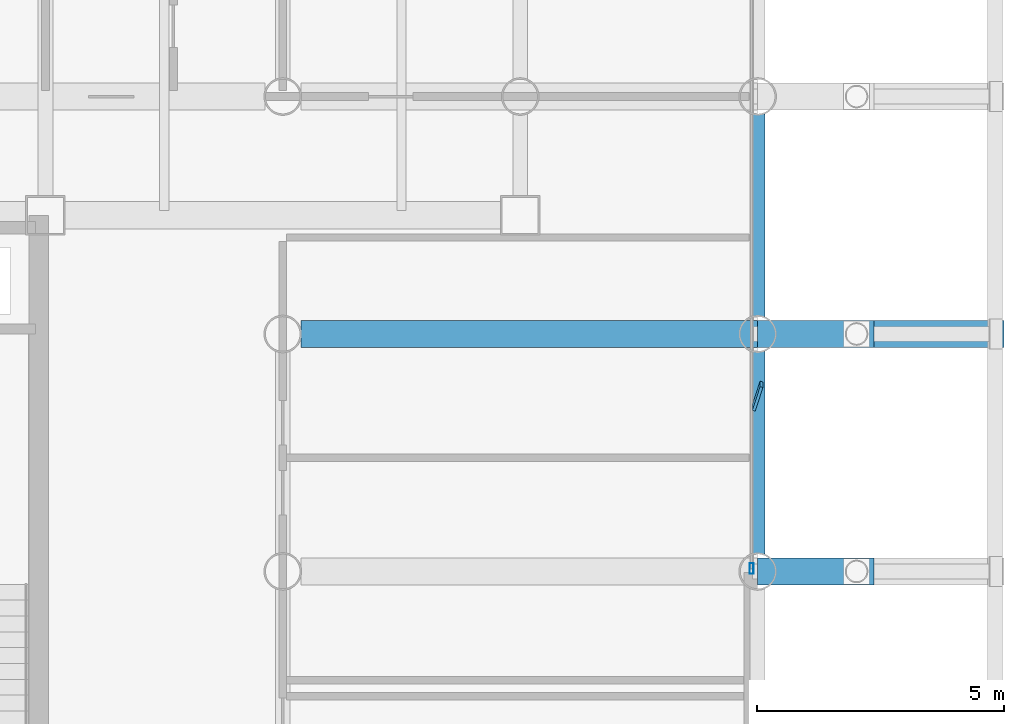
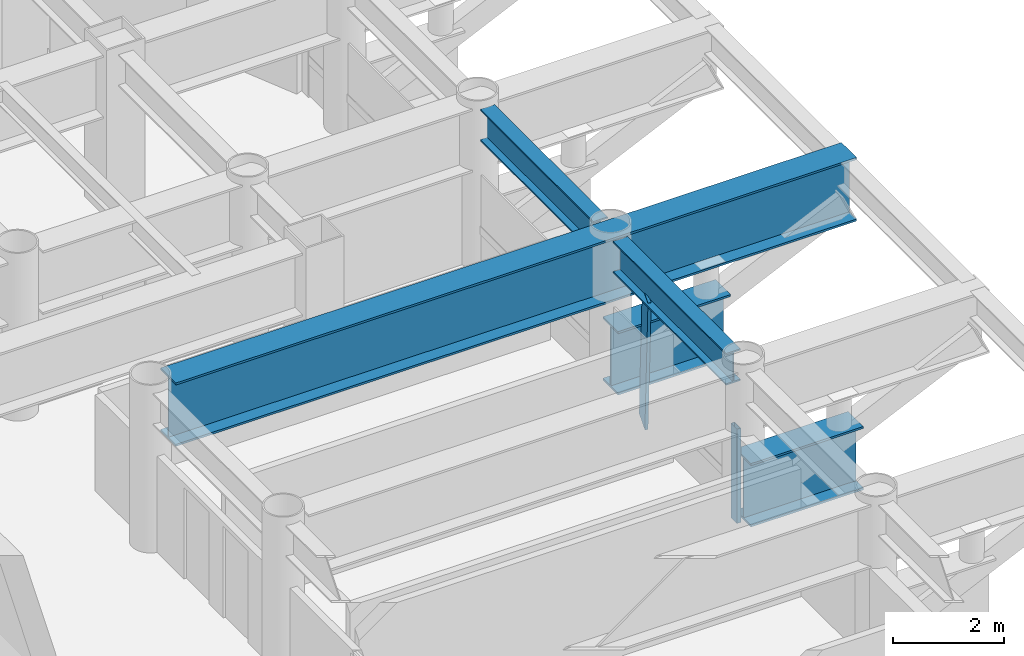
# One storey, part 10 of 26: 5 beams, 2 members, 1 element without a shape of its own.
"""IFC4 building model written with IfcOpenShell, lengths in metres."""

from ifc_helpers import new_model, si_unit, direction, frame, origin, origin_2d, place, context, subcontext, project, spatial, rectangle, hollow_rectangle, i_section, extrude, material, layer, layer_set, material_profile, profile_set, type_object, element, aggregate, save


model = new_model("IFC4")

# Units and contexts
model_context = context("Model", 3, precision=1e-05, world=origin(), true_north=direction((0.0, 1.0)))
body_context = subcontext(model_context, "Body", "Model", "MODEL_VIEW")
ifc_project = project(units=[si_unit("LENGTHUNIT", "METRE"), si_unit("AREAUNIT", "SQUARE_METRE"), si_unit("VOLUMEUNIT", "CUBIC_METRE"), si_unit("PLANEANGLEUNIT", "RADIAN"), si_unit("MASSUNIT", "GRAM", prefix="KILO")], contexts=[model_context])

# Site, building, storey
site_placement = place(None, origin())
site = spatial("IfcSite", under=ifc_project, at=site_placement, CompositionType="ELEMENT")
building_placement = place(site_placement, origin())
building = spatial("IfcBuilding", under=site, at=building_placement, Name="Kallvorn Hotel Tower", CompositionType="ELEMENT")
storey_placement = place(building_placement, frame((0.0, 0.0, 55.89990234375)))
storey = spatial("IfcBuildingStorey", under=building, at=storey_placement, Name="L12", CompositionType="ELEMENT", Elevation=55.89990234375)

# Beams
ifc_material_1 = material(Name="Structural steel S355JR", Category="steel")
ifc_material_profile_1 = material_profile(ifc_material_1, i_section(OverallWidth=0.300048828125, OverallDepth=0.699951171875, WebThickness=0.01708984375, FlangeThickness=0.031982421875, at=origin_2d()), Name="HE 700 B")
ifc_profile_set_1 = profile_set([ifc_material_profile_1], Name="Structural steel S355JR")
beam_type_1 = type_object("IfcBeamType", Name="BM_HE700B", PredefinedType="BEAM", material=ifc_profile_set_1)
beam_1_placement = place(storey_placement, frame((28.800048828125, 0.35595703125, 3.170166015625), z_axis=(0.0, 1.0, 0.0), x_axis=(-1.0, 0.0, 0.0)))
element("IfcBeam", 1, at=beam_1_placement, inside=storey, type_object=beam_type_1, Name="L13 Primary Y-Girder 156", PredefinedType="BEAM", context=body_context, shape_type="SweptSolid", body=[
    extrude(i_section(OverallWidth=0.300048828125, OverallDepth=0.699951171875, WebThickness=0.01708984375, FlangeThickness=0.031982421875, at=origin_2d()), origin(), (0.0, 0.0, 1.0), 4.088134765625),
])
beam_2_placement = place(storey_placement, frame((28.800048828125, 5.156005859375, 3.170166015625), z_axis=(0.0, 1.0, 0.0), x_axis=(-1.0, 0.0, 0.0)))
element("IfcBeam", 2, at=beam_2_placement, inside=storey, type_object=beam_type_1, Name="L13 Primary Y-Girder 157", PredefinedType="BEAM", context=body_context, shape_type="SweptSolid", body=[
    extrude(i_section(OverallWidth=0.300048828125, OverallDepth=0.699951171875, WebThickness=0.01708984375, FlangeThickness=0.031982421875, at=origin_2d()), origin(), (0.0, 0.0, 1.0), 4.087890625),
])
ifc_material_2 = material(Name="Structural steel S355JR", Category="steel")
ifc_material_profile_2 = material_profile(ifc_material_2, i_section(OverallWidth=0.550048828125, OverallDepth=1.39990234375, WebThickness=0.02490234375, FlangeThickness=0.044921875, at=origin_2d()), Name="PG 1400x550x25x45")
ifc_profile_set_2 = profile_set([ifc_material_profile_2], Name="Structural steel S355JR")
beam_type_2 = type_object("IfcBeamType", Name="BM_PG_1400", PredefinedType="BEAM", material=ifc_profile_set_2)
beam_3_placement = place(storey_placement, frame((28.800048828125, 0.0, 0.72021484375), z_axis=(1.0, 0.0, 0.0), x_axis=(0.0, 1.0, 0.0)))
element("IfcBeam", 3, at=beam_3_placement, inside=storey, type_object=beam_type_2, Name="L13 Cantilever Haunch Corbel 06", PredefinedType="BEAM", context=body_context, shape_type="SweptSolid", body=[
    extrude(i_section(OverallWidth=0.550048828125, OverallDepth=1.39990234375, WebThickness=0.02490234375, FlangeThickness=0.044921875, at=origin_2d()), origin(), (0.0, 0.0, 1.0), 2.349853515625),
])
beam_4_placement = place(storey_placement, frame((19.571044921875, 4.800048828125, 2.820068359375), z_axis=(1.0, 0.0, 0.0), x_axis=(0.0, 1.0, 0.0)))
element("IfcBeam", 4, at=beam_4_placement, inside=storey, type_object=beam_type_2, Name="L13 Continuous Cantilever Transfer Girder 07", PredefinedType="BEAM", context=body_context, shape_type="SweptSolid", body=[
    extrude(i_section(OverallWidth=0.550048828125, OverallDepth=1.39990234375, WebThickness=0.02490234375, FlangeThickness=0.044921875, at=origin_2d()), origin(), (0.0, 0.0, 1.0), 14.208984375),
])
beam_5_placement = place(storey_placement, frame((28.800048828125, 4.800048828125, 0.72021484375), z_axis=(1.0, 0.0, 0.0), x_axis=(0.0, 1.0, 0.0)))
element("IfcBeam", 5, at=beam_5_placement, inside=storey, type_object=beam_type_2, Name="L13 Cantilever Haunch Corbel 07", PredefinedType="BEAM", context=body_context, shape_type="SweptSolid", body=[
    extrude(i_section(OverallWidth=0.550048828125, OverallDepth=1.39990234375, WebThickness=0.02490234375, FlangeThickness=0.044921875, at=origin_2d()), origin(), (0.0, 0.0, 1.0), 2.349853515625),
])

# Curtain wall, member
ifc_material_3 = material(Name="Thermally broken black-anodised aluminium AA 6063-T6", Category="aluminium")
ifc_layer = layer(ifc_material_3, 0.199951171875)
ifc_layer_set = layer_set([ifc_layer], Name="CW_SYS_3_HOTEL_LOW")
curtain_wall_type = type_object("IfcCurtainWallType", Name="CW_SYS_3_HOTEL_LOW", PredefinedType="USERDEFINED", material=ifc_layer_set)
curtain_wall_placement = place(storey_placement, origin())
curtain_wall = element("IfcCurtainWall", 6, at=curtain_wall_placement, inside=storey, type_object=curtain_wall_type, Name="L12 Dark-Glass Curtain Wall CW-L12-EN", ObjectType="UNITISED CURTAIN WALL", PredefinedType="USERDEFINED")
ifc_material_4 = material(Name="Thermally broken black-anodised aluminium AA 6063-T6", Category="aluminium")
ifc_material_profile_3 = material_profile(ifc_material_4, hollow_rectangle(XDim=0.080078125, YDim=0.219970703125, WallThickness=0.0048828125, at=origin_2d()), Name="MUL 220x80")
ifc_profile_set_3 = profile_set([ifc_material_profile_3], Name="Thermally broken black-anodised aluminium AA 6063-T6")
member_type_1 = type_object("IfcMemberType", Name="CW_MULLION_220x80", PredefinedType="MULLION", material=ifc_profile_set_3)
member_1_placement = place(storey_placement, frame((28.679931640625, 0.06005859375, 0.02001953125), z_axis=(0.0, 0.0, 1.0), x_axis=(1.0, 0.0, 0.0)))
member_1 = element("IfcMember", 7, at=member_1_placement, type_object=member_type_1, Name="CW-L12-EN Mullion 00", PredefinedType="MULLION", context=body_context, shape_type="SweptSolid", body=[
    extrude(hollow_rectangle(XDim=0.080078125, YDim=0.219970703125, WallThickness=0.0048828125, at=origin_2d()), origin(), (0.0, 0.0, 1.0), 2.080078125),
])
aggregate(curtain_wall, [member_1])

# Member
ifc_material_5 = material(Name="Thermally broken black-anodised aluminium AA 6063-T6", Category="aluminium")
ifc_material_profile_4 = material_profile(ifc_material_5, rectangle(XDim=0.06005859375, YDim=0.5, at=origin_2d()), Name="FIN 500x60")
ifc_profile_set_4 = profile_set([ifc_material_profile_4], Name="Thermally broken black-anodised aluminium AA 6063-T6")
member_type_2 = type_object("IfcMemberType", Name="MBR_SUNSHADE_FIN", PredefinedType="USERDEFINED", material=ifc_profile_set_4)
member_2_placement = place(storey_placement, frame((28.800048828125, 3.60009765625, 0.0), z_axis=(0.0, -0.039014166709, 0.999238657577), x_axis=(0.951056516295, -0.308781726628, -0.012056040534)))
element("IfcMember", 8, at=member_2_placement, inside=storey, type_object=member_type_2, Name="L12 Angled Vertical Sunshade Fin E1", ObjectType="SUNSHADE FIN", PredefinedType="USERDEFINED", context=body_context, shape_type="SweptSolid", body=[
    extrude(rectangle(XDim=0.06005859375, YDim=0.5, at=origin_2d()), origin(), (0.0, 0.0, 1.0), 2.872314453125),
])

save(model, "model.ifc")
